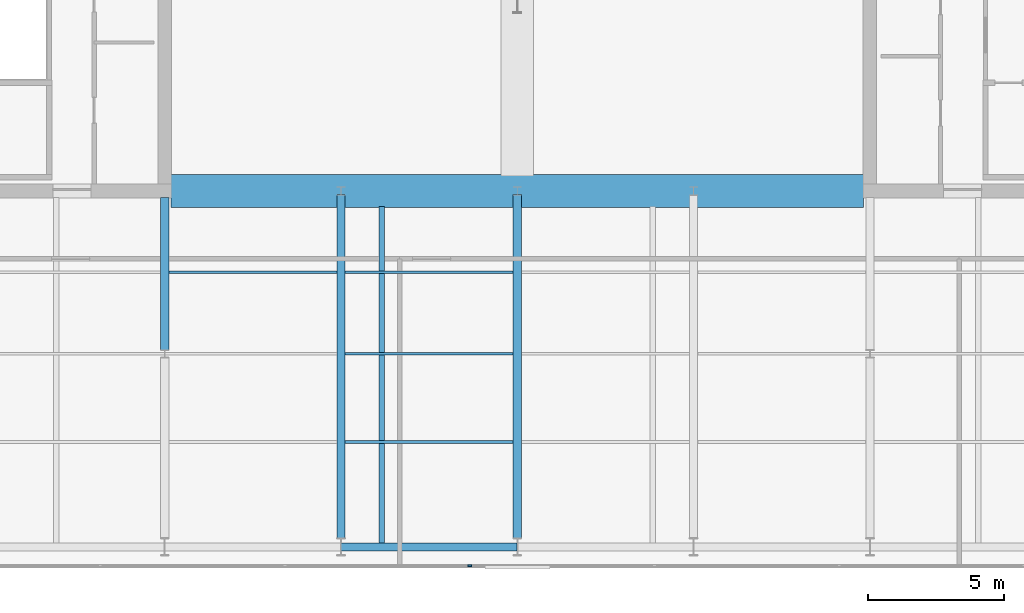
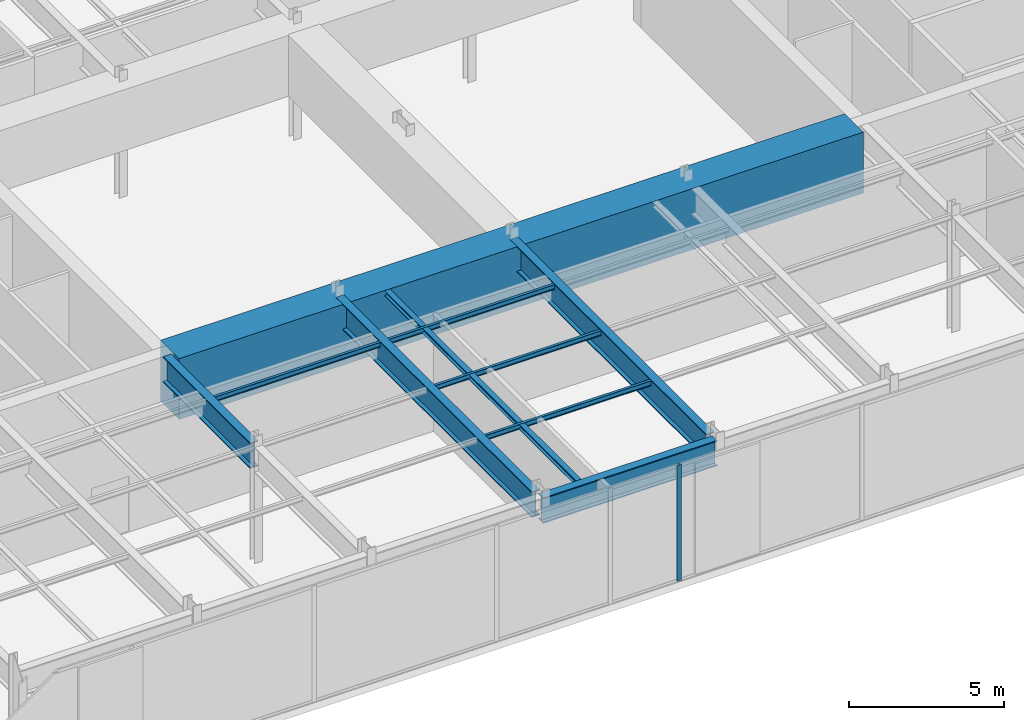
# One storey, part 6 of 21: 9 beams, 2 members, 1 element without a shape of its own.
"""IFC4 building model written with IfcOpenShell, lengths in metres."""

from ifc_helpers import new_model, si_unit, direction, frame, origin, origin_2d, place, context, subcontext, project, spatial, rectangle, i_section, extrude, material, layer, layer_set, material_profile, profile_set, type_object, element, aggregate, save


model = new_model("IFC4")

# Units and contexts
model_context = context("Model", 3, precision=1e-05, world=origin(), true_north=direction((0.0, 1.0)))
body_context = subcontext(model_context, "Body", "Model", "MODEL_VIEW")
ifc_project = project(units=[si_unit("LENGTHUNIT", "METRE"), si_unit("AREAUNIT", "SQUARE_METRE"), si_unit("VOLUMEUNIT", "CUBIC_METRE"), si_unit("PLANEANGLEUNIT", "RADIAN"), si_unit("MASSUNIT", "GRAM", prefix="KILO")], contexts=[model_context])

# Site, building, storey
site_placement = place(None, origin())
site = spatial("IfcSite", under=ifc_project, at=site_placement, CompositionType="ELEMENT")
building_placement = place(site_placement, origin())
building = spatial("IfcBuilding", under=site, at=building_placement, Name="Putna Gate Headquarters", CompositionType="ELEMENT")
storey_placement = place(building_placement, frame((0.0, 0.0, 315.39990234375)))
storey = spatial("IfcBuildingStorey", under=building, at=storey_placement, Name="L79", CompositionType="ELEMENT", Elevation=315.39990234375)

# Beams
ifc_material_1 = material(Name="Steel S355J2", Category="steel")
ifc_material_profile_1 = material_profile(ifc_material_1, i_section(OverallWidth=0.10009765625, OverallDepth=0.199951171875, WebThickness=0.005615234375, FlangeThickness=0.008544921875, at=origin_2d()), Name="Steel S355J2")
ifc_profile_set_1 = profile_set([ifc_material_profile_1], Name="Steel S355J2")
beam_type_1 = type_object("IfcBeamType", Name="BM-SEC-PLT-IPE200", PredefinedType="JOIST", material=ifc_profile_set_1)
for number, where, z_axis, x_axis, name in (
    (1, (26.155029296875, 16.0, 4.47998046875), (1.0, 0.0, 0.0), (0.0, 1.0, 0.0), "L79 South Secondary Beam 3"),
    (2, (32.655029296875, 9.75, 4.47998046875), (1.0, 0.0, 0.0), (0.0, 1.0, 0.0), "L79 South Secondary Beam 4"),
    (3, (32.655029296875, 13.0, 4.47998046875), (1.0, 0.0, 0.0), (0.0, 1.0, 0.0), "L79 South Secondary Beam 4"),
    (4, (32.655029296875, 16.0, 4.47998046875), (1.0, 0.0, 0.0), (0.0, 1.0, 0.0), "L79 South Secondary Beam 4"),
):
    element("IfcBeam", number, at=place(storey_placement, frame(where, z_axis=z_axis, x_axis=x_axis)), inside=storey, type_object=beam_type_1, Name=name, PredefinedType="JOIST", context=body_context, shape_type="SweptSolid", body=[
        extrude(i_section(OverallWidth=0.10009765625, OverallDepth=0.199951171875, WebThickness=0.005615234375, FlangeThickness=0.008544921875, at=origin_2d()), origin(), (0.0, 0.0, 1.0), 6.18994140625),
    ])
ifc_material_2 = material(Name="Steel S460M", Category="steel")
ifc_material_profile_2 = material_profile(ifc_material_2, i_section(OverallWidth=0.302001953125, OverallDepth=1.008056640625, WebThickness=0.02099609375, FlangeThickness=0.0400390625, at=origin_2d()), Name="Steel S460M")
ifc_profile_set_2 = profile_set([ifc_material_profile_2], Name="Steel S460M")
beam_type_2 = type_object("IfcBeamType", Name="BM-TG-HEM1000", PredefinedType="USERDEFINED", material=ifc_profile_set_2)
beam_1_placement = place(storey_placement, frame((26.0, 13.137939453125, 4.076171875), z_axis=(0.0, 1.0, 0.0), x_axis=(-1.0, 0.0, 0.0)))
element("IfcBeam", 5, at=beam_1_placement, inside=storey, type_object=beam_type_2, Name="L79 South Primary Girder X26-2", ObjectType="GIRDER", PredefinedType="USERDEFINED", context=body_context, shape_type="SweptSolid", body=[
    extrude(i_section(OverallWidth=0.302001953125, OverallDepth=1.008056640625, WebThickness=0.02099609375, FlangeThickness=0.0400390625, at=origin_2d()), origin(), (0.0, 0.0, 1.0), 5.626953125),
])
for number, where, z_axis, x_axis, name in (
    (6, (32.5, 6.201904296875, 4.076171875), (0.0, 1.0, 0.0), (-1.0, 0.0, 0.0), "L79 South Primary Girder X32"),
    (7, (39.0, 6.201904296875, 4.076171875), (0.0, 1.0, 0.0), (-1.0, 0.0, 0.0), "L79 South Primary Girder X39"),
):
    element("IfcBeam", number, at=place(storey_placement, frame(where, z_axis=z_axis, x_axis=x_axis)), inside=storey, type_object=beam_type_2, Name=name, ObjectType="GIRDER", PredefinedType="USERDEFINED", context=body_context, shape_type="SweptSolid", body=[
        extrude(i_section(OverallWidth=0.302001953125, OverallDepth=1.008056640625, WebThickness=0.02099609375, FlangeThickness=0.0400390625, at=origin_2d()), origin(), (0.0, 0.0, 1.0), 12.66015625),
    ])
ifc_material_profile_3 = material_profile(ifc_material_2, i_section(OverallWidth=0.302001953125, OverallDepth=1.008056640625, WebThickness=0.02099609375, FlangeThickness=0.0400390625, at=origin_2d()), Name="Steel S460M")
ifc_profile_set_3 = profile_set([ifc_material_profile_3], Name="Steel S460M")
beam_type_3 = type_object("IfcBeamType", Name="BM-TG-HEM1000-EXT", PredefinedType="USERDEFINED", material=ifc_profile_set_3)
beam_2_placement = place(storey_placement, frame((32.506103515625, 5.8798828125, 4.076171875), z_axis=(1.0, 0.0, 0.0), x_axis=(0.0, 1.0, 0.0)))
element("IfcBeam", 8, at=beam_2_placement, inside=storey, type_object=beam_type_3, Name="L79 S Perimeter Spandrel 4", ObjectType="GIRDER", PredefinedType="USERDEFINED", context=body_context, shape_type="SweptSolid", body=[
    extrude(i_section(OverallWidth=0.302001953125, OverallDepth=1.008056640625, WebThickness=0.02099609375, FlangeThickness=0.0400390625, at=origin_2d()), origin(), (0.0, 0.0, 1.0), 6.48779296875),
])
ifc_material_3 = material(Name="Concrete C50/60", Category="concrete")
ifc_material_profile_4 = material_profile(ifc_material_3, rectangle(XDim=1.199951171875, YDim=2.39990234375, at=origin_2d()), Name="Concrete C50/60")
ifc_profile_set_4 = profile_set([ifc_material_profile_4], Name="Concrete C50/60")
beam_type_4 = type_object("IfcBeamType", Name="BM-TG-RC2400", PredefinedType="USERDEFINED", material=ifc_profile_set_4)
beam_3_placement = place(storey_placement, frame((26.239990234375, 19.0, 3.380126953125), z_axis=(1.0, 0.0, 0.0), x_axis=(0.0, 1.0, 0.0)))
element("IfcBeam", 9, at=beam_3_placement, inside=storey, type_object=beam_type_4, Name="L79 Crown Ring Transfer Girder S", ObjectType="GIRDER", PredefinedType="USERDEFINED", context=body_context, shape_type="SweptSolid", body=[
    extrude(rectangle(XDim=1.199951171875, YDim=2.39990234375, at=origin_2d()), origin(), (0.0, 0.0, 1.0), 25.52001953125),
])

# Member
ifc_material_profile_5 = material_profile(ifc_material_1, i_section(OverallWidth=0.199951171875, OverallDepth=0.199951171875, WebThickness=0.009033203125, FlangeThickness=0.014892578125, at=origin_2d()), Name="Steel S355J2")
ifc_profile_set_5 = profile_set([ifc_material_profile_5], Name="Steel S355J2")
member_type_1 = type_object("IfcMemberType", Name="MEM-ROOF-PURLIN-HEB200", PredefinedType="PURLIN", material=ifc_profile_set_5)
member_1_placement = place(storey_placement, frame((34.0, 6.0, 4.47998046875), z_axis=(0.0, 1.0, 0.0), x_axis=(-1.0, 0.0, 0.0)))
element("IfcMember", 10, at=member_1_placement, inside=storey, type_object=member_type_1, Name="Crown Roof South Purlin RP-1 3", PredefinedType="PURLIN", context=body_context, shape_type="SweptSolid", body=[
    extrude(i_section(OverallWidth=0.199951171875, OverallDepth=0.199951171875, WebThickness=0.009033203125, FlangeThickness=0.014892578125, at=origin_2d()), origin(), (0.0, 0.0, 1.0), 12.419921875),
])

# Curtain wall, member
ifc_material_4 = material(Name="Anodised bronze aluminium curtain wall", Category="aluminium")
ifc_layer = layer(ifc_material_4, 0.159912109375)
ifc_layer_set = layer_set([ifc_layer], Name="Anodised bronze aluminium curtain wall")
curtain_wall_type = type_object("IfcCurtainWallType", Name="CW-SYS-CRN", PredefinedType="USERDEFINED", material=ifc_layer_set)
curtain_wall_placement = place(storey_placement, origin())
curtain_wall = element("IfcCurtainWall", 11, at=curtain_wall_placement, inside=storey, type_object=curtain_wall_type, Name="L79 Acoustic Louvre South Enclosure", ObjectType="STICK CURTAIN WALL", PredefinedType="USERDEFINED")
ifc_material_5 = material(Name="Anodised bronze aluminium EN AW-6060", Category="aluminium")
ifc_material_profile_6 = material_profile(ifc_material_5, rectangle(XDim=0.06494140625, YDim=0.159912109375, at=origin_2d()), Name="Anodised bronze aluminium EN AW-6060")
ifc_profile_set_6 = profile_set([ifc_material_profile_6], Name="Anodised bronze aluminium EN AW-6060")
member_type_2 = type_object("IfcMemberType", Name="MULL-CWM-CR", PredefinedType="MULLION", material=ifc_profile_set_6)
member_2_placement = place(storey_placement, frame((37.244384765625, 5.179931640625, 0.0), z_axis=(0.0, 0.0, 1.0), x_axis=(0.0, 1.0, 0.0)))
member_2 = element("IfcMember", 12, at=member_2_placement, type_object=member_type_2, Name="CWS-CR mullion 5", PredefinedType="MULLION", context=body_context, shape_type="SweptSolid", body=[
    extrude(rectangle(XDim=0.06494140625, YDim=0.159912109375, at=origin_2d()), origin(), (0.0, 0.0, 1.0), 4.580078125),
])
aggregate(curtain_wall, [member_2])

save(model, "model.ifc")
